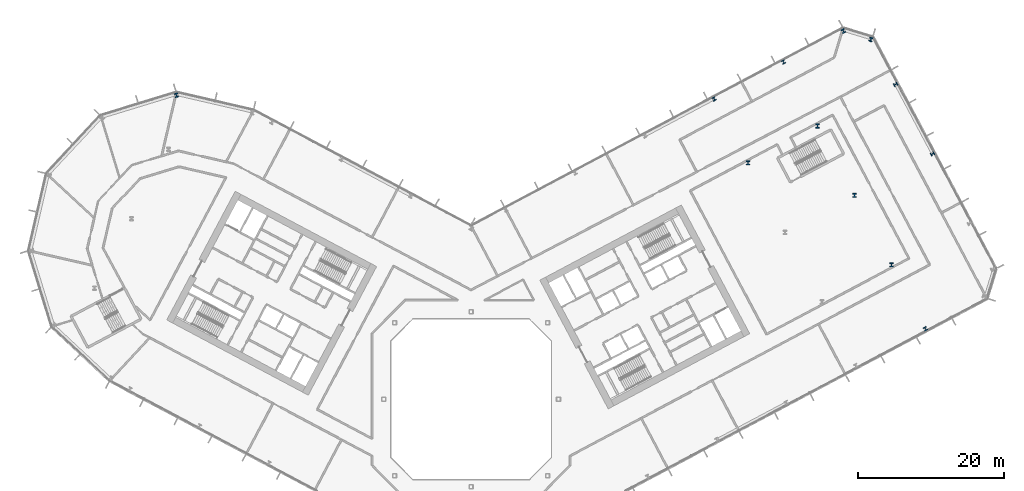
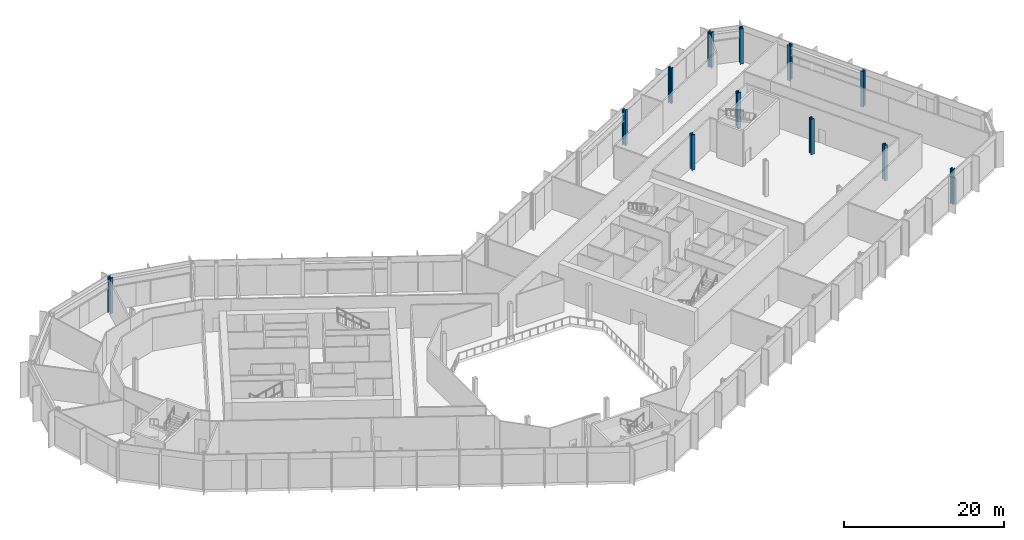
# One storey, part 4 of 31: 12 columns.
"""IFC4 building model written with IfcOpenShell, lengths in metres."""

from ifc_helpers import new_model, si_unit, direction, frame, origin, origin_2d, place, context, subcontext, project, spatial, i_section, extrude, material, material_profile, profile_set, type_object, element, save


model = new_model("IFC4")

# Units and contexts
model_context = context("Model", 3, precision=1e-05, world=origin(), true_north=direction((0.0, 1.0)))
body_context = subcontext(model_context, "Body", "Model", "MODEL_VIEW")
ifc_project = project(units=[si_unit("LENGTHUNIT", "METRE"), si_unit("AREAUNIT", "SQUARE_METRE"), si_unit("VOLUMEUNIT", "CUBIC_METRE"), si_unit("PLANEANGLEUNIT", "RADIAN"), si_unit("MASSUNIT", "GRAM", prefix="KILO")], contexts=[model_context])

# Site, building, storey
site_placement = place(None, origin())
site = spatial("IfcSite", under=ifc_project, at=site_placement, CompositionType="ELEMENT")
building_placement = place(site_placement, origin())
building = spatial("IfcBuilding", under=site, at=building_placement, Name="Cormorant Relay Tower", CompositionType="ELEMENT")
storey_placement = place(building_placement, frame((0.0, 0.0, 23.0)))
storey = spatial("IfcBuildingStorey", under=building, at=storey_placement, Name="L04", CompositionType="ELEMENT", Elevation=23.0)

# Columns
ifc_material_1 = material(Name="Steel ASTM A992 (Fy 345 MPa)", Category="steel")
ifc_material_profile_1 = material_profile(ifc_material_1, i_section(OverallWidth=0.45458984375, OverallDepth=0.569091796875, WebThickness=0.077880859375, FlangeThickness=0.124755859375, FilletRadius=0.015380859375, at=origin_2d()), Name="W360x1086")
ifc_profile_set_1 = profile_set([ifc_material_profile_1], Name="Steel ASTM A992 (Fy 345 MPa)")
column_type_1 = type_object("IfcColumnType", Name="Column W360x1086", PredefinedType="COLUMN", material=ifc_profile_set_1)
for number, where, z_axis, x_axis, name in (
    (1, (57.694091796875, 18.445068359375, 0.0), (0.0, 0.0, 1.0), (1.0, 0.0, 0.0), "Column L04-029"),
    (2, (52.6240234375, 27.98095703125, 0.0), (0.0, 0.0, 1.0), (1.0, 0.0, 0.0), "Column L04-037"),
    (3, (38.01806640625, 32.446044921875, 0.0), (0.0, 0.0, 1.0), (1.0, 0.0, 0.0), "Column L04-040"),
    (4, (47.552978515625, 37.51611328125, 0.0), (0.0, 0.0, 1.0), (1.0, 0.0, 0.0), "Column L04-045"),
    (5, (-40.451904296875, 41.73388671875, 0.0), (0.0, 0.0, 1.0), (-0.956304755963, -0.292371704723, 0.0), "Column L04-050"),
    (6, (54.866943359375, 49.385986328125, 0.0), (0.0, 0.0, 1.0), (-0.956304755963, 0.292371704723, 0.0), "Column L04-053"),
    (7, (51.10302734375, 50.537109375, 0.0), (0.0, 0.0, 1.0), (-0.882947592859, -0.469471562786, 0.0), "Column L04-054"),
):
    element("IfcColumn", number, at=place(storey_placement, frame(where, z_axis=z_axis, x_axis=x_axis)), inside=storey, type_object=column_type_1, Name=name, PredefinedType="COLUMN", context=body_context, shape_type="SweptSolid", body=[
        extrude(i_section(OverallWidth=0.45458984375, OverallDepth=0.569091796875, WebThickness=0.077880859375, FlangeThickness=0.124755859375, FilletRadius=0.015380859375, at=origin_2d()), origin(), (0.0, 0.0, 1.0), 5.39990234375),
    ])
ifc_material_2 = material(Name="Steel ASTM A992 (Fy 345 MPa)", Category="steel")
ifc_material_profile_2 = material_profile(ifc_material_2, i_section(OverallWidth=0.43701171875, OverallDepth=0.51318359375, WebThickness=0.060546875, FlangeThickness=0.096923828125, FilletRadius=0.015380859375, at=origin_2d()), Name="W360x818")
ifc_profile_set_2 = profile_set([ifc_material_profile_2], Name="Steel ASTM A992 (Fy 345 MPa)")
column_type_2 = type_object("IfcColumnType", Name="Column W360x818", PredefinedType="COLUMN", material=ifc_profile_set_2)
for number, where, z_axis, x_axis, name in (
    (8, (62.361083984375, 9.66796875, 0.0), (0.0, 0.0, 1.0), (0.882947592859, 0.469471562786, 0.0), "Column L04-020"),
    (9, (63.343017578125, 33.679931640625, 0.0), (0.0, 0.0, 1.0), (-0.469471562786, 0.882947592859, 0.0), "Column L04-042"),
    (10, (33.35107421875, 41.222900390625, 0.0), (0.0, 0.0, 1.0), (-0.882947592859, -0.469471562786, 0.0), "Column L04-049"),
    (11, (58.27197265625, 43.216064453125, 0.0), (0.0, 0.0, 1.0), (-0.469471562786, 0.882947592859, 0.0), "Column L04-051"),
    (12, (42.886962890625, 46.29296875, 0.0), (0.0, 0.0, 1.0), (-0.882947592859, -0.469471562786, 0.0), "Column L04-052"),
):
    element("IfcColumn", number, at=place(storey_placement, frame(where, z_axis=z_axis, x_axis=x_axis)), inside=storey, type_object=column_type_2, Name=name, PredefinedType="COLUMN", context=body_context, shape_type="SweptSolid", body=[
        extrude(i_section(OverallWidth=0.43701171875, OverallDepth=0.51318359375, WebThickness=0.060546875, FlangeThickness=0.096923828125, FilletRadius=0.015380859375, at=origin_2d()), origin(), (0.0, 0.0, 1.0), 5.39990234375),
    ])

save(model, "model.ifc")
